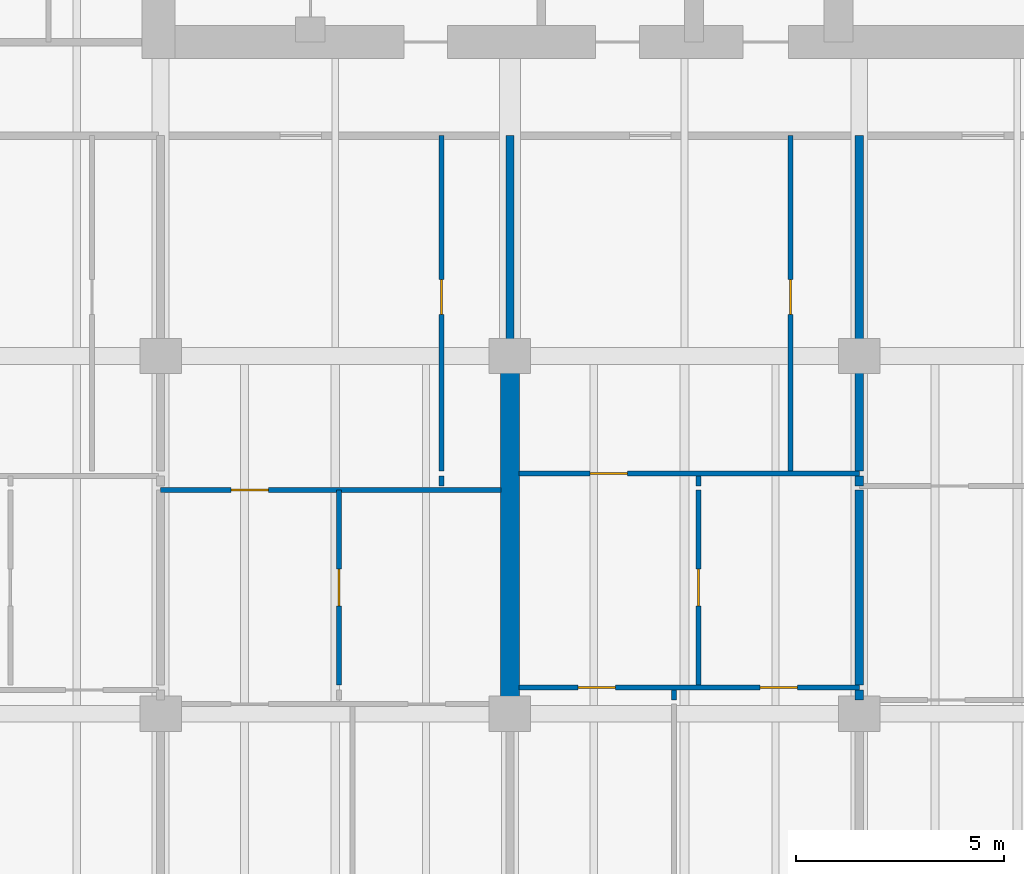
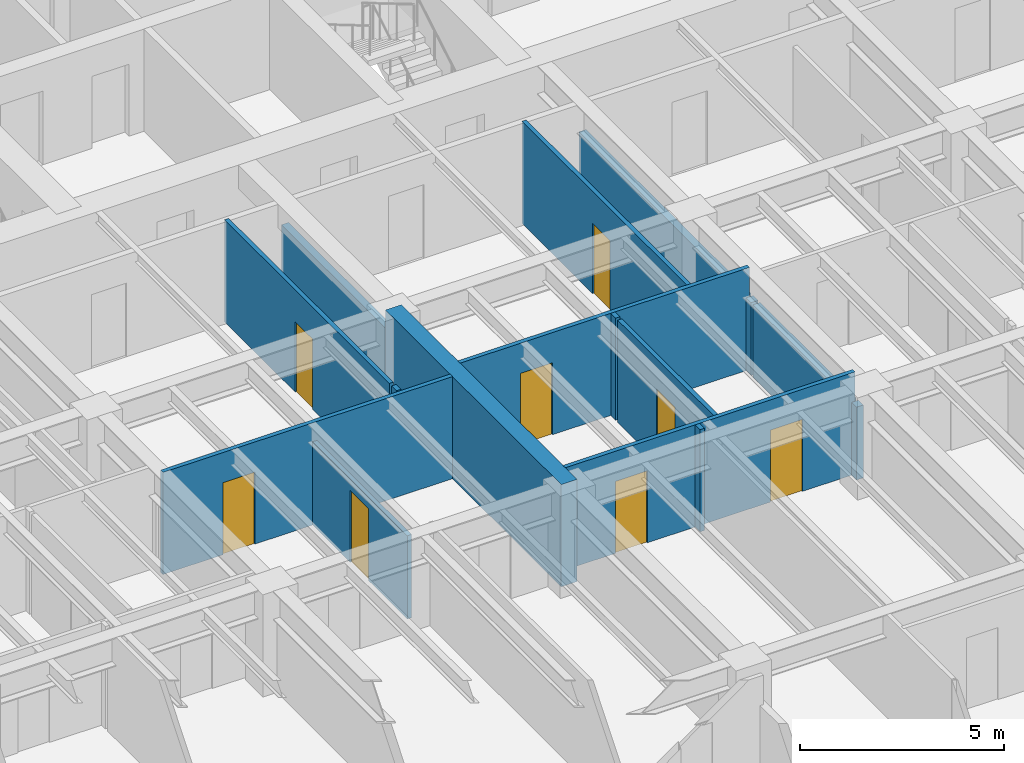
# One storey, part 7 of 18: 16 walls, 8 doors, 8 openings.
"""IFC4 building model written with IfcOpenShell, lengths in metres."""

from ifc_helpers import new_model, si_unit, direction, frame, frame_2d, origin, place, context, subcontext, project, spatial, rectangle, extrude, material, layer, layer_set, type_object, element, fill, save


model = new_model("IFC4")

# Units and contexts
model_context = context("Model", 3, precision=1e-05, world=origin(), true_north=direction((0.0, 1.0)))
body_context = subcontext(model_context, "Body", "Model", "MODEL_VIEW")
ifc_project = project(units=[si_unit("LENGTHUNIT", "METRE"), si_unit("AREAUNIT", "SQUARE_METRE"), si_unit("VOLUMEUNIT", "CUBIC_METRE"), si_unit("PLANEANGLEUNIT", "RADIAN"), si_unit("MASSUNIT", "GRAM", prefix="KILO")], contexts=[model_context])

# Site, building, storey
site_placement = place(None, origin())
site = spatial("IfcSite", under=ifc_project, at=site_placement, CompositionType="ELEMENT")
building_placement = place(site_placement, origin())
building = spatial("IfcBuilding", under=site, at=building_placement, Name="Caelmar Bay Residences", CompositionType="ELEMENT")
storey_placement = place(building_placement, frame((0.0, 0.0, 122.39990234375)))
storey = spatial("IfcBuildingStorey", under=building, at=storey_placement, Name="L33", CompositionType="ELEMENT", Elevation=122.39990234375)

# Wall
ifc_material_1 = material(Name="Concrete f'c 55 MPa (8,000 psi)", Category="concrete")
ifc_layer_1 = layer(ifc_material_1, 0.449951171875)
ifc_layer_set_1 = layer_set([ifc_layer_1], Name="Concrete f'c 55 MPa (8,000 psi)")
wall_type_1 = type_object("IfcWallType", Name="SW-XSLB-450", PredefinedType="SHEAR", material=ifc_layer_set_1)
wall_1_placement = place(storey_placement, frame((26.699951171875, 20.800048828125, 0.0), z_axis=(0.0, 0.0, 1.0), x_axis=(0.0, 1.0, 0.0)))
element("IfcWall", 1, at=wall_1_placement, inside=storey, type_object=wall_type_1, Name="L33 Transverse Cross-Slab Shear Wall W5", PredefinedType="SHEAR", context=body_context, shape_type="SweptSolid", body=[
    extrude(rectangle(XDim=8.599853515625, YDim=0.449951171875, at=frame_2d((4.2998046875, 0.0))), origin(), (0.0, 0.0, 1.0), 3.050048828125),
])

# Wall, opening, door
ifc_material_2 = material(Name="Acoustic metal-stud gypsum partition 120 mm")
ifc_layer_2 = layer(ifc_material_2, 0.1201171875)
ifc_layer_set_2 = layer_set([ifc_layer_2], Name="Acoustic metal-stud gypsum partition 120 mm")
wall_type_2 = type_object("IfcWallType", Name="W-PRT-120", PredefinedType="PARTITIONING", material=ifc_layer_set_2)
wall_2_placement = place(storey_placement, frame((22.5859375, 21.489990234375, 0.0), z_axis=(0.0, 0.0, 1.0), x_axis=(0.0, 1.0, 0.0)))
wall_2 = element("IfcWall", 2, at=wall_2_placement, inside=storey, type_object=wall_type_2, Name="L33 Partition Wall V031", PredefinedType="PARTITIONING", context=body_context, shape_type="SweptSolid", body=[
    extrude(rectangle(XDim=4.68994140625, YDim=0.1201171875, at=frame_2d((2.344970703125, 0.0))), origin(), (0.0, 0.0, 1.0), 2.486083984375),
])
opening_1_placement = place(wall_2_placement, frame((1.89501953125, 0.0, 0.0)))
opening_1 = element("IfcOpeningElement", 3, at=opening_1_placement, cuts=wall_2, Name="Opening D-L33-133", PredefinedType="OPENING", context=body_context, shape_type="SweptSolid", body=[
    extrude(rectangle(XDim=0.89990234375, YDim=2.14990234375, at=frame_2d((0.449951171875, 1.074951171875))), frame((0.0, 0.070068359375, 0.0), z_axis=(0.0, -1.0, 0.0), x_axis=(1.0, 0.0, 0.0)), (0.0, 0.0, 1.0), 0.14013671875),
])
ifc_material_3 = material(Name="Solid walnut timber interior door leaf and frame", Category="wood")
ifc_layer_3 = layer(ifc_material_3, 0.050048828125)
ifc_layer_set_3 = layer_set([ifc_layer_3], Name="Solid walnut timber interior door leaf and frame")
door_type_1 = type_object("IfcDoorType", Name="D-ROOM-900", OperationType="NOTDEFINED", PredefinedType="DOOR", material=ifc_layer_set_3)
door_1_placement = place(opening_1_placement, origin())
door_1 = element("IfcDoor", 4, at=door_1_placement, inside=storey, type_object=door_type_1, Name="L33 Residence 02 Study Door", OperationType="SINGLE_SWING_LEFT", OverallHeight=2.14990234375, OverallWidth=0.89990234375, PredefinedType="DOOR", context=body_context, shape_type="SweptSolid", body=[
    extrude(rectangle(XDim=0.89990234375, YDim=2.14990234375, at=frame_2d((0.449951171875, 1.074951171875))), frame((0.0, 0.02490234375, 0.0), z_axis=(0.0, -1.0, 0.0), x_axis=(1.0, 0.0, 0.0)), (0.0, 0.0, 1.0), 0.050048828125),
])
fill(opening_1, door_1)

# Wall
wall_3_placement = place(storey_placement, frame((25.050048828125, 26.280029296875, 0.0), z_axis=(0.0, 0.0, 1.0), x_axis=(0.0, 1.0, 0.0)))
element("IfcWall", 5, at=wall_3_placement, inside=storey, type_object=wall_type_2, Name="L33 Partition Wall V034", PredefinedType="PARTITIONING", context=body_context, shape_type="SweptSolid", body=[
    extrude(rectangle(XDim=0.239990234375, YDim=0.1201171875, at=frame_2d((0.1201171875, 0.0))), origin(), (0.0, 0.0, 1.0), 3.050048828125),
])

# Wall, opening, door
wall_4_placement = place(storey_placement, frame((25.050048828125, 26.639892578125, 0.0), z_axis=(0.0, 0.0, 1.0), x_axis=(0.0, 1.0, 0.0)))
wall_4 = element("IfcWall", 6, at=wall_4_placement, inside=storey, type_object=wall_type_2, Name="L33 Partition Wall V035", PredefinedType="PARTITIONING", context=body_context, shape_type="SweptSolid", body=[
    extrude(rectangle(XDim=8.06005859375, YDim=0.1201171875, at=frame_2d((4.030029296875, 0.0))), origin(), (0.0, 0.0, 1.0), 3.050048828125),
])
opening_2_placement = place(wall_4_placement, frame((3.7548828125, 0.0, 0.0)))
opening_2 = element("IfcOpeningElement", 7, at=opening_2_placement, cuts=wall_4, Name="Opening D-L33-131", PredefinedType="OPENING", context=body_context, shape_type="SweptSolid", body=[
    extrude(rectangle(XDim=0.85009765625, YDim=2.10009765625, at=frame_2d((0.425048828125, 1.050048828125))), frame((0.0, 0.070068359375, 0.0), z_axis=(0.0, -1.0, 0.0), x_axis=(1.0, 0.0, 0.0)), (0.0, 0.0, 1.0), 0.14013671875),
])
ifc_layer_4 = layer(ifc_material_3, 0.050048828125)
ifc_layer_set_4 = layer_set([ifc_layer_4], Name="Solid walnut timber interior door leaf and frame")
door_type_2 = type_object("IfcDoorType", Name="D-BATH-850", OperationType="NOTDEFINED", PredefinedType="DOOR", material=ifc_layer_set_4)
door_2_placement = place(opening_2_placement, origin())
door_2 = element("IfcDoor", 8, at=door_2_placement, inside=storey, type_object=door_type_2, Name="L33 Residence 02 Bathroom Door", OperationType="SINGLE_SWING_LEFT", OverallHeight=2.10009765625, OverallWidth=0.85009765625, PredefinedType="DOOR", context=body_context, shape_type="SweptSolid", body=[
    extrude(rectangle(XDim=0.85009765625, YDim=2.10009765625, at=frame_2d((0.425048828125, 1.050048828125))), frame((0.0, 0.02490234375, 0.0), z_axis=(0.0, -1.0, 0.0), x_axis=(1.0, 0.0, 0.0)), (0.0, 0.0, 1.0), 0.050048828125),
])
fill(opening_2, door_2)

# Wall
wall_5_placement = place(storey_placement, frame((30.64794921875, 21.1298828125, 0.0), z_axis=(0.0, 0.0, 1.0), x_axis=(0.0, 1.0, 0.0)))
element("IfcWall", 9, at=wall_5_placement, inside=storey, type_object=wall_type_2, Name="L33 Partition Wall V044", PredefinedType="PARTITIONING", context=body_context, shape_type="SweptSolid", body=[
    extrude(rectangle(XDim=0.240234375, YDim=0.1201171875, at=frame_2d((0.1201171875, 0.0))), origin(), (0.0, 0.0, 1.0), 3.050048828125),
])

# Wall, opening, door
wall_6_placement = place(storey_placement, frame((31.236083984375, 21.489990234375, 0.0), z_axis=(0.0, 0.0, 1.0), x_axis=(0.0, 1.0, 0.0)))
wall_6 = element("IfcWall", 10, at=wall_6_placement, inside=storey, type_object=wall_type_2, Name="L33 Partition Wall V045", PredefinedType="PARTITIONING", context=body_context, shape_type="SweptSolid", body=[
    extrude(rectangle(XDim=4.68994140625, YDim=0.1201171875, at=frame_2d((2.344970703125, 0.0))), origin(), (0.0, 0.0, 1.0), 3.050048828125),
])
opening_3_placement = place(wall_6_placement, frame((1.89501953125, 0.0, 0.0)))
opening_3 = element("IfcOpeningElement", 11, at=opening_3_placement, cuts=wall_6, Name="Opening D-L33-140", PredefinedType="OPENING", context=body_context, shape_type="SweptSolid", body=[
    extrude(rectangle(XDim=0.89990234375, YDim=2.14990234375, at=frame_2d((0.449951171875, 1.074951171875))), frame((0.0, 0.070068359375, 0.0), z_axis=(0.0, -1.0, 0.0), x_axis=(1.0, 0.0, 0.0)), (0.0, 0.0, 1.0), 0.14013671875),
])
door_3_placement = place(opening_3_placement, origin())
door_3 = element("IfcDoor", 12, at=door_3_placement, inside=storey, type_object=door_type_1, Name="L33 Residence 03 Study Door", OperationType="SINGLE_SWING_RIGHT", OverallHeight=2.14990234375, OverallWidth=0.89990234375, PredefinedType="DOOR", context=body_context, shape_type="SweptSolid", body=[
    extrude(rectangle(XDim=0.89990234375, YDim=2.14990234375, at=frame_2d((0.449951171875, 1.074951171875))), frame((0.0, 0.02490234375, 0.0), z_axis=(0.0, -1.0, 0.0), x_axis=(1.0, 0.0, 0.0)), (0.0, 0.0, 1.0), 0.050048828125),
])
fill(opening_3, door_3)

# Wall
wall_7_placement = place(storey_placement, frame((31.236083984375, 26.280029296875, 0.0), z_axis=(0.0, 0.0, 1.0), x_axis=(0.0, 1.0, 0.0)))
element("IfcWall", 13, at=wall_7_placement, inside=storey, type_object=wall_type_2, Name="L33 Partition Wall V046", PredefinedType="PARTITIONING", context=body_context, shape_type="SweptSolid", body=[
    extrude(rectangle(XDim=0.239990234375, YDim=0.1201171875, at=frame_2d((0.1201171875, 0.0))), origin(), (0.0, 0.0, 1.0), 3.050048828125),
])

# Wall, opening, door
wall_8_placement = place(storey_placement, frame((33.449951171875, 26.639892578125, 0.0), z_axis=(0.0, 0.0, 1.0), x_axis=(0.0, 1.0, 0.0)))
wall_8 = element("IfcWall", 14, at=wall_8_placement, inside=storey, type_object=wall_type_2, Name="L33 Partition Wall V048", PredefinedType="PARTITIONING", context=body_context, shape_type="SweptSolid", body=[
    extrude(rectangle(XDim=8.06005859375, YDim=0.1201171875, at=frame_2d((4.030029296875, 0.0))), origin(), (0.0, 0.0, 1.0), 3.050048828125),
])
opening_4_placement = place(wall_8_placement, frame((3.7548828125, 0.0, 0.0)))
opening_4 = element("IfcOpeningElement", 15, at=opening_4_placement, cuts=wall_8, Name="Opening D-L33-138", PredefinedType="OPENING", context=body_context, shape_type="SweptSolid", body=[
    extrude(rectangle(XDim=0.85009765625, YDim=2.10009765625, at=frame_2d((0.425048828125, 1.050048828125))), frame((0.0, 0.070068359375, 0.0), z_axis=(0.0, -1.0, 0.0), x_axis=(1.0, 0.0, 0.0)), (0.0, 0.0, 1.0), 0.14013671875),
])
door_4_placement = place(opening_4_placement, origin())
door_4 = element("IfcDoor", 16, at=door_4_placement, inside=storey, type_object=door_type_2, Name="L33 Residence 03 Bathroom Door", OperationType="SINGLE_SWING_RIGHT", OverallHeight=2.10009765625, OverallWidth=0.85009765625, PredefinedType="DOOR", context=body_context, shape_type="SweptSolid", body=[
    extrude(rectangle(XDim=0.85009765625, YDim=2.10009765625, at=frame_2d((0.425048828125, 1.050048828125))), frame((0.0, 0.02490234375, 0.0), z_axis=(0.0, -1.0, 0.0), x_axis=(1.0, 0.0, 0.0)), (0.0, 0.0, 1.0), 0.050048828125),
])
fill(opening_4, door_4)

# Wall, openings, doors
wall_9_placement = place(storey_placement, frame((26.919921875, 21.429931640625, 0.0), z_axis=(0.0, 0.0, 1.0), x_axis=(1.0, 0.0, 0.0)))
wall_9 = element("IfcWall", 17, at=wall_9_placement, inside=storey, type_object=wall_type_2, Name="L33 Partition Wall H132", PredefinedType="PARTITIONING", context=body_context, shape_type="SweptSolid", body=[
    extrude(rectangle(XDim=8.18017578125, YDim=0.1201171875, at=frame_2d((4.090087890625, 0.0))), origin(), (0.0, 0.0, 1.0), 3.050048828125),
])
opening_5_placement = place(wall_9_placement, frame((1.4140625, 0.0, 0.0)))
opening_5 = element("IfcOpeningElement", 18, at=opening_5_placement, cuts=wall_9, Name="Opening D-L33-141", PredefinedType="OPENING", context=body_context, shape_type="SweptSolid", body=[
    extrude(rectangle(XDim=0.89990234375, YDim=2.14990234375, at=frame_2d((0.449951171875, 1.074951171875))), frame((0.0, 0.070068359375, 0.0), z_axis=(0.0, -1.0, 0.0), x_axis=(1.0, 0.0, 0.0)), (0.0, 0.0, 1.0), 0.14013671875),
])
opening_6_placement = place(wall_9_placement, frame((5.798095703125, 0.0, 0.0)))
opening_6 = element("IfcOpeningElement", 19, at=opening_6_placement, cuts=wall_9, Name="Opening D-L33-142", PredefinedType="OPENING", context=body_context, shape_type="SweptSolid", body=[
    extrude(rectangle(XDim=0.89990234375, YDim=2.14990234375, at=frame_2d((0.449951171875, 1.074951171875))), frame((0.0, 0.070068359375, 0.0), z_axis=(0.0, -1.0, 0.0), x_axis=(1.0, 0.0, 0.0)), (0.0, 0.0, 1.0), 0.14013671875),
])
door_5_placement = place(opening_5_placement, origin())
door_5 = element("IfcDoor", 20, at=door_5_placement, inside=storey, type_object=door_type_1, Name="L33 Residence 03 Living Room Door", OperationType="SINGLE_SWING_LEFT", OverallHeight=2.14990234375, OverallWidth=0.89990234375, PredefinedType="DOOR", context=body_context, shape_type="SweptSolid", body=[
    extrude(rectangle(XDim=0.89990234375, YDim=2.14990234375, at=frame_2d((0.449951171875, 1.074951171875))), frame((0.0, 0.02490234375, 0.0), z_axis=(0.0, -1.0, 0.0), x_axis=(1.0, 0.0, 0.0)), (0.0, 0.0, 1.0), 0.050048828125),
])
fill(opening_5, door_5)
door_6_placement = place(opening_6_placement, origin())
door_6 = element("IfcDoor", 21, at=door_6_placement, inside=storey, type_object=door_type_1, Name="L33 Residence 03 Penthouse Sitting Room Door", OperationType="SINGLE_SWING_RIGHT", OverallHeight=2.14990234375, OverallWidth=0.89990234375, PredefinedType="DOOR", context=body_context, shape_type="SweptSolid", body=[
    extrude(rectangle(XDim=0.89990234375, YDim=2.14990234375, at=frame_2d((0.449951171875, 1.074951171875))), frame((0.0, 0.02490234375, 0.0), z_axis=(0.0, -1.0, 0.0), x_axis=(1.0, 0.0, 0.0)), (0.0, 0.0, 1.0), 0.050048828125),
])
fill(opening_6, door_6)

# Wall, opening, door
wall_10_placement = place(storey_placement, frame((18.300048828125, 26.179931640625, 0.0), z_axis=(0.0, 0.0, 1.0), x_axis=(1.0, 0.0, 0.0)))
wall_10 = element("IfcWall", 22, at=wall_10_placement, inside=storey, type_object=wall_type_2, Name="L33 Partition Wall H134", PredefinedType="PARTITIONING", context=body_context, shape_type="SweptSolid", body=[
    extrude(rectangle(XDim=8.179931640625, YDim=0.1201171875, at=frame_2d((4.08984375, 0.0))), origin(), (0.0, 0.0, 1.0), 3.050048828125),
])
opening_7_placement = place(wall_10_placement, frame((1.693115234375, 0.0, 0.0)))
opening_7 = element("IfcOpeningElement", 23, at=opening_7_placement, cuts=wall_10, Name="Opening D-L33-132", PredefinedType="OPENING", context=body_context, shape_type="SweptSolid", body=[
    extrude(rectangle(XDim=0.89990234375, YDim=2.14990234375, at=frame_2d((0.449951171875, 1.074951171875))), frame((0.0, 0.070068359375, 0.0), z_axis=(0.0, -1.0, 0.0), x_axis=(1.0, 0.0, 0.0)), (0.0, 0.0, 1.0), 0.14013671875),
])
door_7_placement = place(opening_7_placement, origin())
door_7 = element("IfcDoor", 24, at=door_7_placement, inside=storey, type_object=door_type_1, Name="L33 Residence 02 Kitchen Door", OperationType="SINGLE_SWING_RIGHT", OverallHeight=2.14990234375, OverallWidth=0.89990234375, PredefinedType="DOOR", context=body_context, shape_type="SweptSolid", body=[
    extrude(rectangle(XDim=0.89990234375, YDim=2.14990234375, at=frame_2d((0.449951171875, 1.074951171875))), frame((0.0, 0.02490234375, 0.0), z_axis=(0.0, -1.0, 0.0), x_axis=(1.0, 0.0, 0.0)), (0.0, 0.0, 1.0), 0.050048828125),
])
fill(opening_7, door_7)

wall_11_placement = place(storey_placement, frame((26.919921875, 26.580078125, 0.0), z_axis=(0.0, 0.0, 1.0), x_axis=(1.0, 0.0, 0.0)))
wall_11 = element("IfcWall", 25, at=wall_11_placement, inside=storey, type_object=wall_type_2, Name="L33 Partition Wall H139", PredefinedType="PARTITIONING", context=body_context, shape_type="SweptSolid", body=[
    extrude(rectangle(XDim=8.18017578125, YDim=0.1201171875, at=frame_2d((4.090087890625, 0.0))), origin(), (0.0, 0.0, 1.0), 3.050048828125),
])
opening_8_placement = place(wall_11_placement, frame((1.7080078125, 0.0, 0.0)))
opening_8 = element("IfcOpeningElement", 26, at=opening_8_placement, cuts=wall_11, Name="Opening D-L33-139", PredefinedType="OPENING", context=body_context, shape_type="SweptSolid", body=[
    extrude(rectangle(XDim=0.89990234375, YDim=2.14990234375, at=frame_2d((0.449951171875, 1.074951171875))), frame((0.0, 0.070068359375, 0.0), z_axis=(0.0, -1.0, 0.0), x_axis=(1.0, 0.0, 0.0)), (0.0, 0.0, 1.0), 0.14013671875),
])
door_8_placement = place(opening_8_placement, origin())
door_8 = element("IfcDoor", 27, at=door_8_placement, inside=storey, type_object=door_type_1, Name="L33 Residence 03 Kitchen Door", OperationType="SINGLE_SWING_LEFT", OverallHeight=2.14990234375, OverallWidth=0.89990234375, PredefinedType="DOOR", context=body_context, shape_type="SweptSolid", body=[
    extrude(rectangle(XDim=0.89990234375, YDim=2.14990234375, at=frame_2d((0.449951171875, 1.074951171875))), frame((0.0, 0.02490234375, 0.0), z_axis=(0.0, -1.0, 0.0), x_axis=(1.0, 0.0, 0.0)), (0.0, 0.0, 1.0), 0.050048828125),
])
fill(opening_8, door_8)

# Walls
ifc_material_4 = material(Name="Acoustic twin-stud fire-rated inter-tenancy partition 200 mm")
ifc_layer_5 = layer(ifc_material_4, 0.199951171875)
ifc_layer_set_5 = layer_set([ifc_layer_5], Name="Acoustic twin-stud fire-rated inter-tenancy partition 200 mm")
wall_type_3 = type_object("IfcWallType", Name="W-PTY-200", PredefinedType="PARTITIONING", material=ifc_layer_set_5)
wall_12_placement = place(storey_placement, frame((26.699951171875, 29.405029296875, 0.0), z_axis=(0.0, 0.0, 1.0), x_axis=(0.0, 1.0, 0.0)))
element("IfcWall", 28, at=wall_12_placement, inside=storey, type_object=wall_type_3, Name="L33 Partition Wall V039", PredefinedType="PARTITIONING", context=body_context, shape_type="SweptSolid", body=[
    extrude(rectangle(XDim=5.294921875, YDim=0.199951171875, at=frame_2d((2.6474609375, 0.0))), origin(), (0.0, 0.0, 1.0), 2.335205078125),
])
wall_13_placement = place(storey_placement, frame((35.10009765625, 21.1298828125, 0.0), z_axis=(0.0, 0.0, 1.0), x_axis=(0.0, 1.0, 0.0)))
element("IfcWall", 29, at=wall_13_placement, inside=storey, type_object=wall_type_3, Name="L33 Partition Wall V051", PredefinedType="PARTITIONING", context=body_context, shape_type="SweptSolid", body=[
    extrude(rectangle(XDim=0.240234375, YDim=0.199951171875, at=frame_2d((0.1201171875, 0.0))), origin(), (0.0, 0.0, 1.0), 2.174072265625),
])
wall_14_placement = place(storey_placement, frame((35.10009765625, 21.489990234375, 0.0), z_axis=(0.0, 0.0, 1.0), x_axis=(0.0, 1.0, 0.0)))
element("IfcWall", 30, at=wall_14_placement, inside=storey, type_object=wall_type_3, Name="L33 Partition Wall V052", PredefinedType="PARTITIONING", context=body_context, shape_type="SweptSolid", body=[
    extrude(rectangle(XDim=4.68994140625, YDim=0.199951171875, at=frame_2d((2.344970703125, 0.0))), origin(), (0.0, 0.0, 1.0), 2.174072265625),
])
wall_15_placement = place(storey_placement, frame((35.10009765625, 26.280029296875, 0.0), z_axis=(0.0, 0.0, 1.0), x_axis=(0.0, 1.0, 0.0)))
element("IfcWall", 31, at=wall_15_placement, inside=storey, type_object=wall_type_3, Name="L33 Partition Wall V053", PredefinedType="PARTITIONING", context=body_context, shape_type="SweptSolid", body=[
    extrude(rectangle(XDim=0.239990234375, YDim=0.199951171875, at=frame_2d((0.1201171875, 0.0))), origin(), (0.0, 0.0, 1.0), 2.174072265625),
])
wall_16_placement = place(storey_placement, frame((35.10009765625, 26.639892578125, 0.0), z_axis=(0.0, 0.0, 1.0), x_axis=(0.0, 1.0, 0.0)))
element("IfcWall", 32, at=wall_16_placement, inside=storey, type_object=wall_type_3, Name="L33 Partition Wall V054", PredefinedType="PARTITIONING", context=body_context, shape_type="SweptSolid", body=[
    extrude(rectangle(XDim=8.06005859375, YDim=0.199951171875, at=frame_2d((4.030029296875, 0.0))), origin(), (0.0, 0.0, 1.0), 2.174072265625),
])

save(model, "model.ifc")
